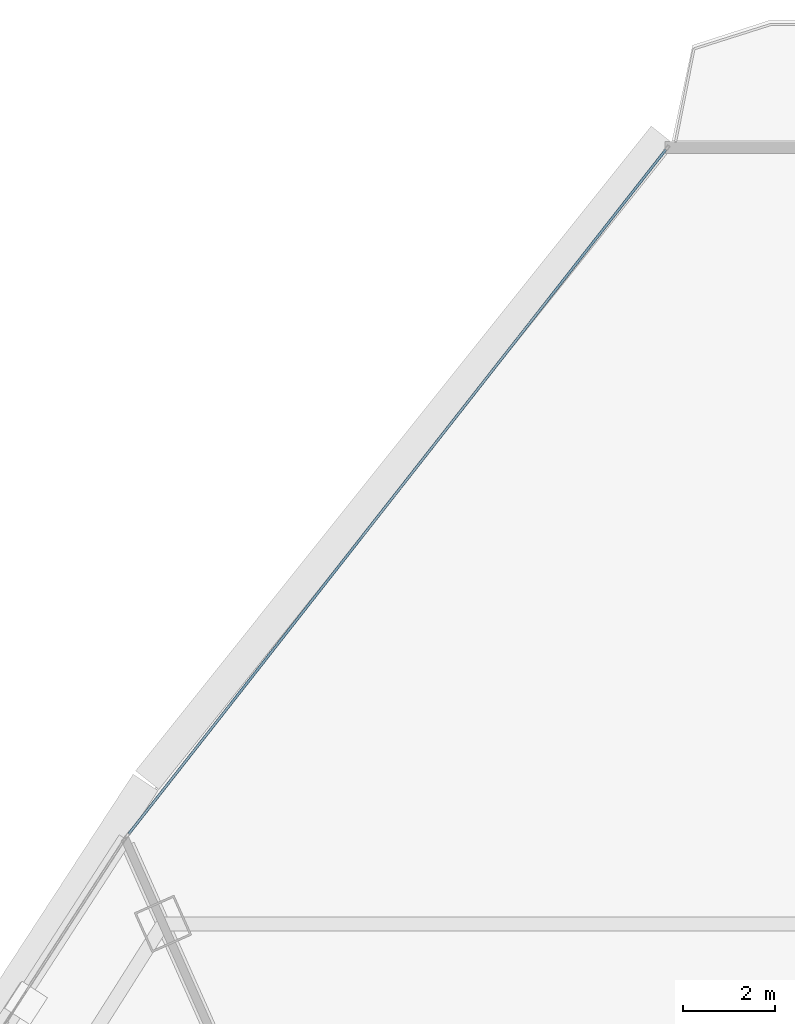
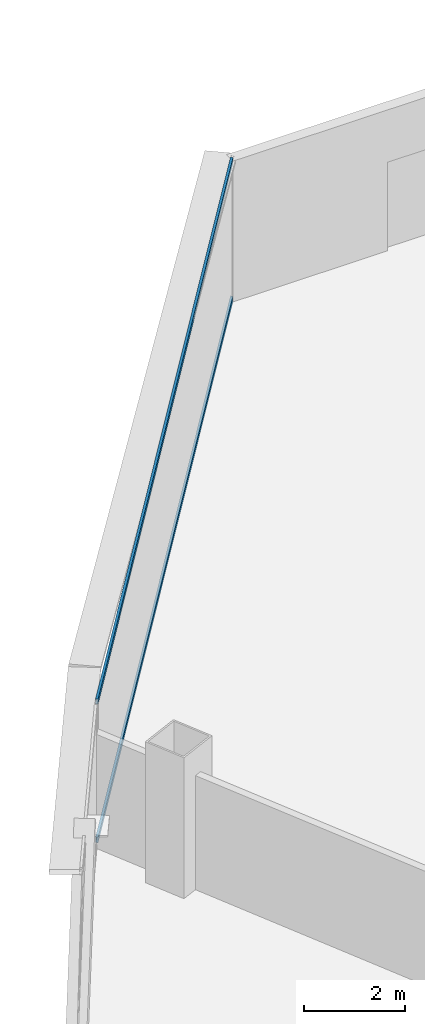
# One storey, part 28 of 42: 2 members, 1 element without a shape of its own.
"""IFC4 building model written with IfcOpenShell, lengths in metres."""

import ifcopenshell
import ifcopenshell.guid

model = None  # the IFC model being written
_history = None  # IfcOwnerHistory: only IFC2X3 demands one
_inside = {}  # id of a spatial element -> (the spatial element, [elements in it])
_under = {}  # id of a project, library or spatial element -> (it, [spatial elements below it])
_declared = {}  # id of a project -> (the project, [libraries it declares])
_typed = {}  # id of a type object -> (the type object, [elements of that type])
_made_of = {}  # id of a material, layer set ... -> (it, [elements and type objects made of it])


def new_model(schema):
    """Start an empty IFC model of exactly this schema.

    Asked for "IFC4X3", IfcOpenShell would pick the latest addendum, in which some entities
    have other attributes; the version numbers below select the first issue.
    IFC2X3 requires an IfcOwnerHistory on every rooted entity: one is made here for all.
    """
    global model, _history
    if schema == "IFC4X3":
        model = ifcopenshell.file(schema_version=(4, 3, 0, 0))
    else:
        model = ifcopenshell.file(schema=schema)
    _inside.clear()
    _under.clear()
    _declared.clear()
    _typed.clear()
    _made_of.clear()
    _history = None
    if model.schema == "IFC2X3":
        org = make("IfcOrganization", Name="unknown")
        user = make(
            "IfcPersonAndOrganization",
            ThePerson=make("IfcPerson", FamilyName="unknown"),
            TheOrganization=org,
        )
        app = make(
            "IfcApplication",
            ApplicationDeveloper=org,
            Version="unknown",
            ApplicationFullName="unknown",
            ApplicationIdentifier="unknown",
        )
        _history = make(
            "IfcOwnerHistory",
            OwningUser=user,
            OwningApplication=app,
            ChangeAction="ADDED",
            CreationDate=0,
        )
    return model


def make(cls, **values):
    """One entity of the class cls with the attributes given. An attribute that is None is left unset."""
    return model.create_entity(
        cls, **{name: value for name, value in values.items() if value is not None}
    )


def rooted(cls, **values):
    """An entity with a GlobalId (a new one), such as an element, a storey or a relation."""
    return make(cls, GlobalId=ifcopenshell.guid.new(), OwnerHistory=_history, **values)


def si_unit(unit_type, name, prefix=None):
    """IfcSIUnit, for example si_unit("LENGTHUNIT", "METRE", prefix="MILLI")."""
    return make("IfcSIUnit", UnitType=unit_type, Prefix=prefix, Name=name)


def assignment(units):
    """IfcUnitAssignment: the units of a project."""
    return None if units is None else make("IfcUnitAssignment", Units=units)


def point(xyz):
    """IfcCartesianPoint."""
    return None if xyz is None else make("IfcCartesianPoint", Coordinates=xyz)


def direction(xyz):
    """IfcDirection."""
    return None if xyz is None else make("IfcDirection", DirectionRatios=xyz)


def frame(location, z_axis=None, x_axis=None):
    """IfcAxis2Placement3D, a coordinate frame: its origin and axes. An axis left out is left unset."""
    return make(
        "IfcAxis2Placement3D",
        Location=point(location),
        Axis=direction(z_axis),
        RefDirection=direction(x_axis),
    )


def frame_2d(location, x_axis=None):
    """IfcAxis2Placement2D, a coordinate frame in the plane: its origin and x axis."""
    return make(
        "IfcAxis2Placement2D", Location=point(location), RefDirection=direction(x_axis)
    )


def origin():
    """The frame at (0, 0, 0) with its axes left unset."""
    return frame((0.0, 0.0, 0.0))


def origin_2d():
    """The frame at (0, 0) in the plane with its x axis left unset."""
    return frame_2d((0.0, 0.0))


def place(relative_to, where):
    """IfcLocalPlacement: puts the frame where relative to a parent placement (None: the world)."""
    return make(
        "IfcLocalPlacement", PlacementRelTo=relative_to, RelativePlacement=where
    )


def context(
    kind, dimensions, precision=None, world=None, true_north=None, identifier=None
):
    """IfcGeometricRepresentationContext, for example the 3D "Model" context."""
    return make(
        "IfcGeometricRepresentationContext",
        ContextIdentifier=identifier,
        ContextType=kind,
        CoordinateSpaceDimension=dimensions,
        Precision=precision,
        WorldCoordinateSystem=world,
        TrueNorth=true_north,
    )


def subcontext(parent, identifier, kind, view, scale=None):
    """IfcGeometricRepresentationSubContext, for example "Body" below "Model"."""
    return make(
        "IfcGeometricRepresentationSubContext",
        ContextIdentifier=identifier,
        ContextType=kind,
        ParentContext=parent,
        TargetScale=scale,
        TargetView=view,
    )


def project(units=None, contexts=None):
    """IfcProject with its units and contexts."""
    return rooted(
        "IfcProject",
        Name="project",
        RepresentationContexts=contexts,
        UnitsInContext=assignment(units),
    )


def spatial(cls, under=None, at=None, **own):
    """A site, building, storey or space (cls), placed at a placement, below another one or the project."""
    s = rooted(cls, ObjectPlacement=at, **own)
    if under is not None:
        _under.setdefault(under.id(), (under, []))[1].append(s)
    return s


def profile(cls, at=None, kind="AREA", **sizes):
    """A parametric profile (cls). Its sizes go by their IFC names, for example OverallWidth=200.0."""
    return make(cls, ProfileType=kind, Position=at, **sizes)


def hollow_rectangle(**sizes):
    """IfcRectangleHollowProfileDef."""
    return profile("IfcRectangleHollowProfileDef", **sizes)


def extrude(swept, where, along, depth):
    """IfcExtrudedAreaSolid: the profile swept, set in the frame where, extruded along a direction by depth."""
    return make(
        "IfcExtrudedAreaSolid",
        SweptArea=swept,
        Position=where,
        ExtrudedDirection=direction(along),
        Depth=depth,
    )


def shape(context_of_items, identifier, shape_type, items):
    """IfcShapeRepresentation: the items that make up one representation, for example the "Body"."""
    return make(
        "IfcShapeRepresentation",
        ContextOfItems=context_of_items,
        RepresentationIdentifier=identifier,
        RepresentationType=shape_type,
        Items=items,
    )


def source(mapping_origin, context_of_items, identifier, shape_type, items):
    """IfcRepresentationMap: a shape defined once, which mapped items show again and again."""
    return make(
        "IfcRepresentationMap",
        MappingOrigin=mapping_origin,
        MappedRepresentation=shape(context_of_items, identifier, shape_type, items),
    )


def transform(
    local_origin,
    x_axis=None,
    y_axis=None,
    z_axis=None,
    scale=None,
    scale2=None,
    scale3=None,
    uniform=True,
):
    """IfcCartesianTransformationOperator3D, or its non-uniform kind. x_axis, y_axis, z_axis: its Axis1, 2, 3."""
    if uniform:
        return make(
            "IfcCartesianTransformationOperator3D",
            Axis1=direction(x_axis),
            Axis2=direction(y_axis),
            LocalOrigin=point(local_origin),
            Scale=scale,
            Axis3=direction(z_axis),
        )
    return make(
        "IfcCartesianTransformationOperator3DnonUniform",
        Axis1=direction(x_axis),
        Axis2=direction(y_axis),
        LocalOrigin=point(local_origin),
        Scale=scale,
        Axis3=direction(z_axis),
        Scale2=scale2,
        Scale3=scale3,
    )


def mapped(mapping_source, mapping_target):
    """IfcMappedItem: shows the shape of a source again, moved by a transform."""
    return make(
        "IfcMappedItem", MappingSource=mapping_source, MappingTarget=mapping_target
    )


def material(Name=None, Category=None):
    """IfcMaterial."""
    return make("IfcMaterial", Name=Name, Category=Category)


def layer(
    of_material, thickness, ventilated=None, Name=None, Category=None, Priority=None
):
    """IfcMaterialLayer: one layer of a wall or slab, of a material (None: an air gap)."""
    return make(
        "IfcMaterialLayer",
        Material=of_material,
        LayerThickness=thickness,
        IsVentilated=ventilated,
        Name=Name,
        Category=Category,
        Priority=Priority,
    )


def layer_set(layers, Name=None):
    """IfcMaterialLayerSet."""
    return make("IfcMaterialLayerSet", MaterialLayers=layers, LayerSetName=Name)


def material_profile(
    of_material, cross_section, Name=None, Category=None, Priority=None
):
    """IfcMaterialProfile: a cross section and its material."""
    return make(
        "IfcMaterialProfile",
        Name=Name,
        Material=of_material,
        Profile=cross_section,
        Priority=Priority,
        Category=Category,
    )


def profile_set(profiles, Name=None, composite=None):
    """IfcMaterialProfileSet."""
    return make(
        "IfcMaterialProfileSet",
        Name=Name,
        MaterialProfiles=profiles,
        CompositeProfile=composite,
    )


def made_of(thing, what):
    """Note that an element or type object is made of a material, layer set ...; save() writes the relation."""
    if what is not None:
        _made_of.setdefault(what.id(), (what, []))[1].append(thing)
    return thing


def type_object(cls, material=None, **own):
    """A type object (cls), such as IfcWallType, which elements share."""
    return made_of(rooted(cls, **own), material)


def element(
    cls,
    number,
    at=None,
    inside=None,
    cuts=None,
    type_object=None,
    material=None,
    context=None,
    identifier="Body",
    shape_type=None,
    held_by="IfcProductDefinitionShape",
    body=None,
    shapes=None,
    **own,
):
    """One element of the class cls, such as IfcWall. Its Tag is "e" and its number.

    at: its placement. inside: the storey or other place that contains it. cuts: it is an
    opening in that element (IfcRelVoidsElement). A single representation is given by context,
    identifier, shape_type and body (its items); several are given by shapes. held_by: the class
    of the entity that holds the representations. save() writes the other relations.
    """
    e = rooted(cls, Tag="e%d" % number, ObjectPlacement=at, **own)
    if body is not None:
        shapes = [shape(context, identifier, shape_type, body)]
    if shapes is not None:
        e.Representation = make(held_by, Representations=shapes)
    if inside is not None:
        _inside.setdefault(inside.id(), (inside, []))[1].append(e)
    if cuts is not None:
        rooted(
            "IfcRelVoidsElement", RelatingBuildingElement=cuts, RelatedOpeningElement=e
        )
    if type_object is not None:
        _typed.setdefault(type_object.id(), (type_object, []))[1].append(e)
    return made_of(e, material)


def aggregate(whole, parts):
    """IfcRelAggregates: a whole, such as a stair, and the parts it consists of."""
    return rooted("IfcRelAggregates", RelatingObject=whole, RelatedObjects=parts)


def save(model, path):
    """Write the relations noted so far, then the file.

    IfcRelAggregates (storeys below a building ...), IfcRelContainedInSpatialStructure (elements
    in a storey), IfcRelDefinesByType, IfcRelAssociatesMaterial and IfcRelDeclares: one each for
    every whole, place, type object, material and project.
    """
    for whole, parts in _under.values():
        aggregate(whole, parts)
    for where, things in _inside.values():
        rooted(
            "IfcRelContainedInSpatialStructure",
            RelatedElements=things,
            RelatingStructure=where,
        )
    for kind, things in _typed.values():
        rooted("IfcRelDefinesByType", RelatedObjects=things, RelatingType=kind)
    for what, things in _made_of.values():
        rooted("IfcRelAssociatesMaterial", RelatedObjects=things, RelatingMaterial=what)
    for by, libraries in _declared.values():
        rooted("IfcRelDeclares", RelatingContext=by, RelatedDefinitions=libraries)
    model.write(path)


model = new_model("IFC4")

# Units and contexts
model_context = context("Model", 3, precision=1e-05, world=origin(), true_north=direction((0.0, 1.0)))
body_context = subcontext(model_context, "Body", "Model", "MODEL_VIEW")
ifc_project = project(units=[si_unit("LENGTHUNIT", "METRE"), si_unit("AREAUNIT", "SQUARE_METRE"), si_unit("VOLUMEUNIT", "CUBIC_METRE"), si_unit("PLANEANGLEUNIT", "RADIAN"), si_unit("MASSUNIT", "GRAM", prefix="KILO"), si_unit("THERMODYNAMICTEMPERATUREUNIT", "KELVIN"), si_unit("POWERUNIT", "WATT")], contexts=[model_context])

# Site, building, storey
site_placement = place(None, origin())
site = spatial("IfcSite", under=ifc_project, at=site_placement, CompositionType="ELEMENT")
building_placement = place(site_placement, origin())
building = spatial("IfcBuilding", under=site, at=building_placement, Name="Yunzhuo Pagoda Commons", CompositionType="ELEMENT")
storey_placement = place(building_placement, frame((0.0, 0.0, 137.18994140625)))
storey = spatial("IfcBuildingStorey", under=building, at=storey_placement, Name="L34", CompositionType="ELEMENT", Elevation=137.18994140625)

# Curtain wall, members
ifc_material = material(Name="Anodized aluminium 6063-T6", Category="aluminium")
ifc_layer = layer(ifc_material, 0.14990234375)
ifc_layer_set = layer_set([ifc_layer], Name="Anodized aluminium 6063-T6")
curtain_wall_type = type_object("IfcCurtainWallType", Name="CW-MID Mid-Zone Ribbon Curtain Wall", PredefinedType="NOTDEFINED", material=ifc_layer_set)
curtain_wall_placement = place(storey_placement, origin())
curtain_wall = element("IfcCurtainWall", 1, at=curtain_wall_placement, inside=storey, type_object=curtain_wall_type, Name="L34 curtain wall CW-L34-F3B1", PredefinedType="NOTDEFINED")
ifc_material_profile = material_profile(ifc_material, hollow_rectangle(XDim=0.054931640625, YDim=0.1298828125, WallThickness=0.00341796875, at=origin_2d()), Name="Anodized aluminium 6063-T6")
ifc_profile_set = profile_set([ifc_material_profile], Name="Anodized aluminium 6063-T6")
member_type = type_object("IfcMemberType", Name="CW-MID-T Transom RHS 130x55x3.5", PredefinedType="USERDEFINED", material=ifc_profile_set)
shared_shape = source(origin(), body_context, "Body", "SweptSolid", [
    extrude(hollow_rectangle(XDim=0.054931640625, YDim=0.1298828125, WallThickness=0.00341796875, at=origin_2d()), origin(), (0.0, 0.0, 1.0), 18.9765625),
])
member_1_placement = place(storey_placement, frame((43.566650390625, 85.1962890625, 0.027587890625), z_axis=(-0.617497065847, -0.786573183925, 0.0), x_axis=(0.786573183925, -0.617497065847, 0.0)))
member_1 = element("IfcMember", 2, at=member_1_placement, type_object=member_type, Name="CW transom 1.1", ObjectType="TRANSOM", PredefinedType="USERDEFINED", context=body_context, shape_type="MappedRepresentation", body=[
    mapped(shared_shape, transform((0.0, 0.0, 0.0), scale=1.0)),
])
member_2_placement = place(storey_placement, frame((43.566650390625, 85.1962890625, 3.392822265625), z_axis=(-0.617497065847, -0.786573183925, 0.0), x_axis=(0.786573183925, -0.617497065847, 0.0)))
member_2 = element("IfcMember", 3, at=member_2_placement, type_object=member_type, Name="CW transom 1.2", ObjectType="TRANSOM", PredefinedType="USERDEFINED", context=body_context, shape_type="MappedRepresentation", body=[
    mapped(shared_shape, transform((0.0, 0.0, 0.0), scale=1.0)),
])
aggregate(curtain_wall, [member_1, member_2])

save(model, "model.ifc")
